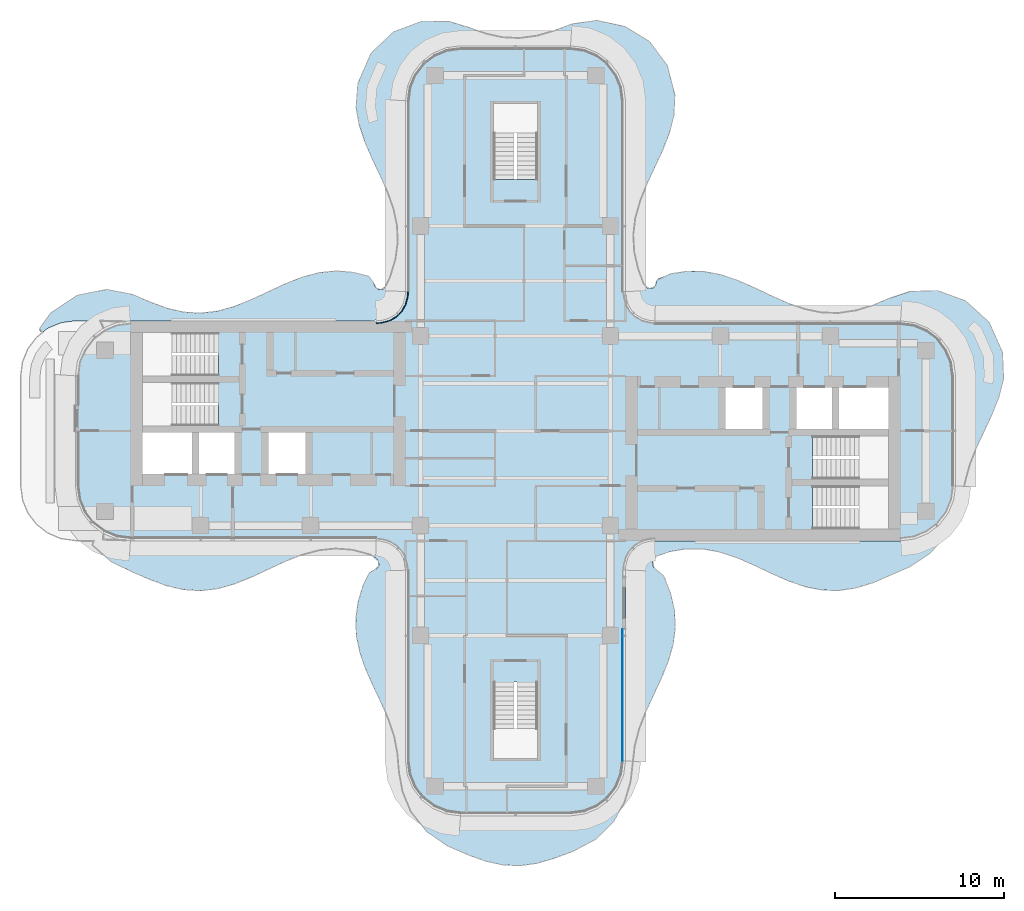
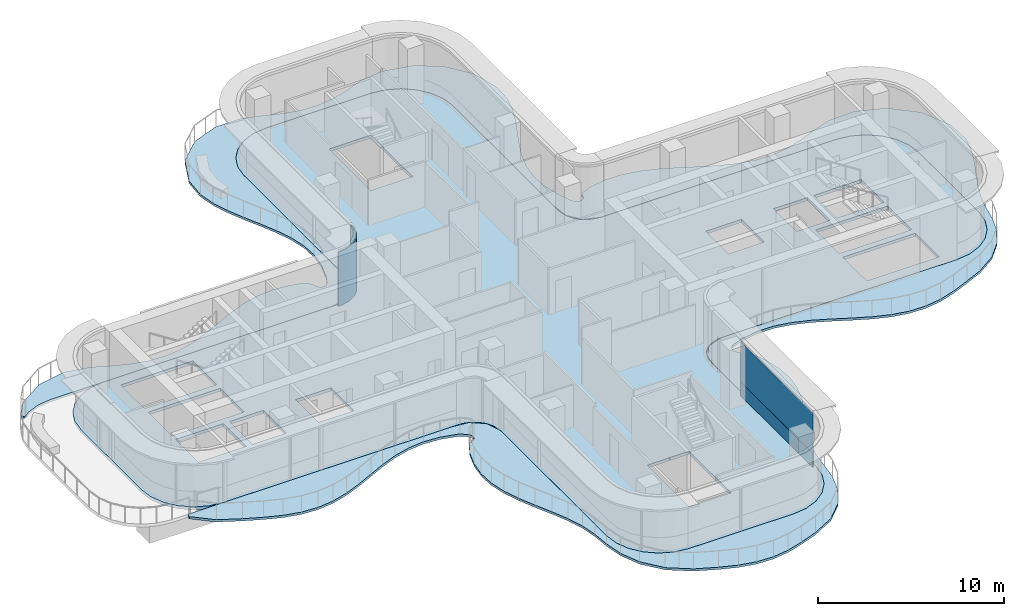
# One storey, part 9 of 17: 3 plates, 2 slabs, 2 elements without a shape of their own.
"""IFC4 building model written with IfcOpenShell, lengths in metres."""

from ifc_helpers import new_model, si_unit, direction, frame, origin, place, context, subcontext, project, spatial, polyline, outline, extrude, source, transform, mapped, material, layer, layer_set, type_object, element, aggregate, save


model = new_model("IFC4")

# Units and contexts
model_context = context("Model", 3, precision=1e-05, world=origin(), true_north=direction((0.0, 1.0)))
body_context = subcontext(model_context, "Body", "Model", "MODEL_VIEW")
ifc_project = project(units=[si_unit("LENGTHUNIT", "METRE"), si_unit("AREAUNIT", "SQUARE_METRE"), si_unit("VOLUMEUNIT", "CUBIC_METRE"), si_unit("PLANEANGLEUNIT", "RADIAN"), si_unit("MASSUNIT", "GRAM", prefix="KILO")], contexts=[model_context])

# Site, building, storey
site_placement = place(None, origin())
site = spatial("IfcSite", under=ifc_project, at=site_placement, CompositionType="ELEMENT")
building_placement = place(site_placement, origin())
building = spatial("IfcBuilding", under=site, at=building_placement, Name="Trellis Farm Tower", CompositionType="ELEMENT")
storey_placement = place(building_placement, frame((0.0, 0.0, 279.39990234375)))
storey = spatial("IfcBuildingStorey", under=building, at=storey_placement, Name="L62", CompositionType="ELEMENT", Elevation=279.39990234375)

# Slab
ifc_material_1 = material(Name="Concrete C40/50", Category="concrete")
ifc_layer_1 = layer(ifc_material_1, 0.14990234375)
ifc_layer_set_1 = layer_set([ifc_layer_1], Name="Balcony slab 150")
slab_type_1 = type_object("IfcSlabType", Name="Balcony slab 150", PredefinedType="FLOOR", material=ifc_layer_set_1)
slab_1_placement = place(storey_placement, frame((0.0, 0.0, -0.14990234375)))
element("IfcSlab", 1, at=slab_1_placement, inside=storey, type_object=slab_type_1, Name="Balcony slab", PredefinedType="FLOOR", context=body_context, shape_type="SweptSolid", body=[
    extrude(outline(polyline([(-27.989501953125, 5.830810546875), (-28.085205078125, 5.872802734375), (-28.130126953125, 5.967041015625), (-28.102783203125, 6.06787109375), (-27.462890625, 6.96337890625), (-27.444580078125, 6.984375), (-27.418212890625, 7.009521484375), (-27.396484375, 7.02685546875), (-25.90478515625, 7.9970703125), (-25.879150390625, 8.010498046875), (-25.844482421875, 8.0244140625), (-25.81689453125, 8.03271484375), (-24.166259765625, 8.353271484375), (-24.13720703125, 8.356201171875), (-24.099609375, 8.35595703125), (-24.0703125, 8.35302734375), (-22.647705078125, 8.06494140625), (-22.6181640625, 8.055908203125), (-21.5927734375, 7.61376953125), (-21.5888671875, 7.6123046875), (-20.583251953125, 7.242919921875), (-20.574462890625, 7.240234375), (-19.635986328125, 7.02197265625), (-19.623779296875, 7.02001953125), (-18.640380859375, 6.95458984375), (-18.627197265625, 6.955078125), (-17.636474609375, 7.066650390625), (-17.624755859375, 7.06884765625), (-16.626708984375, 7.344970703125), (-16.618896484375, 7.34765625), (-15.598388671875, 7.7578125), (-15.5947265625, 7.75927734375), (-13.6064453125, 8.685791015625), (-13.597900390625, 8.689453125), (-12.6064453125, 9.07958984375), (-12.590087890625, 9.084716796875), (-11.606689453125, 9.345703125), (-11.5830078125, 9.35009765625), (-10.607666015625, 9.447021484375), (-10.580810546875, 9.447265625), (-9.609619140625, 9.369384765625), (-9.584716796875, 9.364990234375), (-8.67529296875, 9.134521484375), (-8.584228515625, 9.0673828125), (-8.389404296875, 8.7490234375), (-8.376953125, 8.723388671875), (-8.322021484375, 8.576416015625), (-8.314697265625, 8.56201171875), (-8.23974609375, 8.446533203125), (-8.214599609375, 8.422607421875), (-8.103759765625, 8.35888671875), (-8.07080078125, 8.34912109375), (-7.94287109375, 8.34228515625), (-7.908935546875, 8.3486328125), (-7.7919921875, 8.400634765625), (-7.7646484375, 8.421875), (-7.6787109375, 8.5283203125), (-7.669189453125, 8.543212890625), (-7.4140625, 9.0791015625), (-7.409912109375, 9.089599609375), (-7.097900390625, 10.1279296875), (-7.09521484375, 10.139404296875), (-6.9599609375, 11.131103515625), (-6.95947265625, 11.144287109375), (-7.0009765625, 12.12841796875), (-7.00244140625, 12.140869140625), (-7.21240234375, 13.12158203125), (-7.21484375, 13.131103515625), (-7.5537109375, 14.087646484375), (-7.555908203125, 14.093017578125), (-8.00341796875, 15.09814453125), (-8.00439453125, 15.099609375), (-8.479736328125, 16.10205078125), (-8.481689453125, 16.106689453125), (-8.90771484375, 17.08740234375), (-8.91259765625, 17.099853515625), (-9.2373046875, 18.07763671875), (-9.24267578125, 18.098876953125), (-9.420166015625, 19.102294921875), (-9.422119140625, 19.139892578125), (-9.3212890625, 20.48291015625), (-9.309814453125, 20.53076171875), (-8.568359375, 22.258056640625), (-8.55322265625, 22.28515625), (-8.531005859375, 22.31689453125), (-8.510986328125, 22.33984375), (-7.224609375, 23.5517578125), (-7.200927734375, 23.56982421875), (-7.168212890625, 23.590087890625), (-7.1416015625, 23.603515625), (-5.575439453125, 24.189697265625), (-5.54931640625, 24.197021484375), (-5.514892578125, 24.203125), (-5.4873046875, 24.205322265625), (-3.938720703125, 24.191650390625), (-3.8955078125, 24.184814453125), (-2.75390625, 23.830078125), (-2.748291015625, 23.828125), (-1.73046875, 23.465576171875), (-1.72119140625, 23.462890625), (-0.784423828125, 23.258544921875), (-0.772216796875, 23.2568359375), (0.211669921875, 23.20751953125), (0.22509765625, 23.2080078125), (1.268798828125, 23.346435546875), (1.280029296875, 23.348876953125), (2.257568359375, 23.637451171875), (2.2626953125, 23.63916015625), (3.33447265625, 24.03955078125), (3.365478515625, 24.047607421875), (4.749755859375, 24.248291015625), (4.776123046875, 24.249755859375), (4.81005859375, 24.24853515625), (4.837158203125, 24.245361328125), (6.4658203125, 23.8896484375), (6.51171875, 23.871337890625), (7.851806640625, 23.055908203125), (7.87451171875, 23.038818359375), (7.901611328125, 23.01416015625), (7.9208984375, 22.9931640625), (8.93408203125, 21.6474609375), (8.949462890625, 21.62255859375), (8.965576171875, 21.589111328125), (8.975830078125, 21.56103515625), (9.418701171875, 19.848876953125), (9.423095703125, 19.802978515625), (9.357666015625, 18.63134765625), (9.353271484375, 18.602294921875), (9.10009765625, 17.618896484375), (9.094482421875, 17.601806640625), (8.705322265625, 16.600830078125), (8.701416015625, 16.591796875), (7.779296875, 14.61279296875), (7.77783203125, 14.609619140625), (7.3759765625, 13.625244140625), (7.373291015625, 13.617431640625), (7.078125, 12.583740234375), (7.07568359375, 12.572265625), (6.956298828125, 11.581298828125), (6.955810546875, 11.56787109375), (7.013427734375, 10.584228515625), (7.01513671875, 10.572021484375), (7.239013671875, 9.59130859375), (7.24169921875, 9.582275390625), (7.567626953125, 8.689208984375), (7.574951171875, 8.674560546875), (7.647216796875, 8.560791015625), (7.657470703125, 8.54833984375), (7.7080078125, 8.49755859375), (7.72509765625, 8.48486328125), (7.868408203125, 8.406005859375), (7.908447265625, 8.397216796875), (8.06103515625, 8.406982421875), (8.099609375, 8.4208984375), (8.22314453125, 8.510986328125), (8.248291015625, 8.543701171875), (8.30859375, 8.69775390625), (8.31298828125, 8.714599609375), (8.334228515625, 8.8662109375), (8.42626953125, 8.984619140625), (9.115478515625, 9.2646484375), (9.147705078125, 9.273681640625), (10.11279296875, 9.4306640625), (10.13916015625, 9.4326171875), (11.111328125, 9.418212890625), (11.13720703125, 9.41552734375), (12.10986328125, 9.23046875), (12.1298828125, 9.225341796875), (13.09423828125, 8.900146484375), (13.106201171875, 8.8955078125), (14.10205078125, 8.46044921875), (14.106201171875, 8.45849609375), (15.100830078125, 7.986572265625), (15.1025390625, 7.985595703125), (16.0888671875, 7.5478515625), (16.094482421875, 7.545654296875), (17.076904296875, 7.201904296875), (17.08642578125, 7.19921875), (18.067138671875, 6.99658203125), (18.07958984375, 6.9951171875), (19.06396484375, 6.961669921875), (19.077392578125, 6.96240234375), (20.120361328125, 7.1171875), (20.13134765625, 7.11962890625), (21.079833984375, 7.410888671875), (21.086669921875, 7.413330078125), (22.10009765625, 7.83642578125), (22.110595703125, 7.84033203125), (23.285888671875, 8.232421875), (23.32861328125, 8.239990234375), (24.87158203125, 8.289306640625), (24.900146484375, 8.287353515625), (24.935546875, 8.28173828125), (24.96240234375, 8.27490234375), (26.54052734375, 7.707763671875), (26.567138671875, 7.695068359375), (26.60009765625, 7.67529296875), (26.62353515625, 7.65771484375), (27.958740234375, 6.44091796875), (27.9794921875, 6.41748046875), (28.0029296875, 6.385009765625), (28.018310546875, 6.35791015625), (28.76318359375, 4.668212890625), (28.77197265625, 4.64111328125), (28.7802734375, 4.605224609375), (28.783935546875, 4.576904296875), (28.8369140625, 3.073974609375), (28.83203125, 3.031005859375), (28.569580078125, 2.017333984375), (28.563720703125, 1.99951171875), (28.165283203125, 0.99853515625), (28.161865234375, 0.99072265625), (27.2392578125, -0.98828125), (27.237548828125, -0.991943359375), (26.844482421875, -1.975830078125), (26.841796875, -1.983642578125), (26.565185546875, -2.989013671875), (26.56396484375, -2.993896484375), (26.341796875, -4.088134765625), (26.337158203125, -4.10546875), (25.990478515625, -5.153564453125), (25.978759765625, -5.179931640625), (25.37451171875, -6.251708984375), (25.35546875, -6.2783203125), (24.513916015625, -7.216796875), (24.485595703125, -7.2412109375), (23.326171875, -8.01708984375), (23.303466796875, -8.029541015625), (22.101806640625, -8.562255859375), (22.09912109375, -8.5634765625), (21.114990234375, -8.976806640625), (21.10107421875, -8.981689453125), (20.1240234375, -9.28271484375), (20.102294921875, -9.28759765625), (19.13037109375, -9.43505859375), (19.10400390625, -9.436767578125), (18.130859375, -9.411376953125), (18.105224609375, -9.408447265625), (17.12548828125, -9.2119140625), (17.105712890625, -9.206298828125), (16.117431640625, -8.863525390625), (16.105712890625, -8.85888671875), (15.109619140625, -8.41748046875), (15.10595703125, -8.416015625), (14.102783203125, -7.93994140625), (14.1005859375, -7.93896484375), (13.12451171875, -7.511962890625), (13.118408203125, -7.509521484375), (12.089599609375, -7.164794921875), (12.079345703125, -7.162109375), (11.08544921875, -6.97998046875), (11.072509765625, -6.97900390625), (10.08642578125, -6.971923828125), (10.073486328125, -6.97314453125), (9.088623046875, -7.141357421875), (9.076171875, -7.144775390625), (8.3525390625, -7.400634765625), (8.33837890625, -7.407470703125), (8.234619140625, -7.470947265625), (8.212158203125, -7.4921875), (8.143310546875, -7.59228515625), (8.1357421875, -7.606201171875), (8.100341796875, -7.691162109375), (8.0947265625, -7.713623046875), (8.080078125, -7.892578125), (8.09033203125, -7.936279296875), (8.1826171875, -8.089599609375), (8.19873046875, -8.1083984375), (8.751220703125, -8.56640625), (8.777587890625, -8.5947265625), (8.807373046875, -8.63671875), (8.826171875, -8.67236328125), (9.160400390625, -9.58837890625), (9.165771484375, -9.606689453125), (9.38671875, -10.580078125), (9.39013671875, -10.605224609375), (9.443603515625, -11.60791015625), (9.4423828125, -11.635009765625), (9.31787109375, -12.6064453125), (9.31298828125, -12.629150390625), (9.03125, -13.60498046875), (9.026123046875, -13.6201171875), (8.624755859375, -14.603759765625), (8.621826171875, -14.610595703125), (7.69970703125, -16.589111328125), (7.697998046875, -16.59375), (7.301025390625, -17.615966796875), (7.29833984375, -17.624267578125), (7.042724609375, -18.6201171875), (7.040771484375, -18.631103515625), (6.935302734375, -19.63671875), (6.93505859375, -19.639892578125), (6.797119140625, -20.73876953125), (6.7919921875, -20.7626953125), (6.45751953125, -21.889892578125), (6.4453125, -21.919189453125), (5.818359375, -23.06396484375), (5.7919921875, -23.098876953125), (4.744384765625, -24.1279296875), (4.708984375, -24.15380859375), (3.381103515625, -24.849853515625), (3.363037109375, -24.85791015625), (2.2578125, -25.2626953125), (2.24853515625, -25.265869140625), (1.2724609375, -25.55322265625), (1.25048828125, -25.55810546875), (0.278564453125, -25.6904296875), (0.251953125, -25.691650390625), (-0.7216796875, -25.650390625), (-0.746826171875, -25.647216796875), (-1.7275390625, -25.435791015625), (-1.74658203125, -25.43017578125), (-2.747802734375, -25.0712890625), (-2.75634765625, -25.068115234375), (-3.987548828125, -24.538330078125), (-4.0126953125, -24.5244140625), (-5.23876953125, -23.68798828125), (-5.271484375, -23.657470703125), (-6.173583984375, -22.523193359375), (-6.19482421875, -22.48681640625), (-6.671142578125, -21.326171875), (-6.679931640625, -21.296142578125), (-6.88427734375, -20.1796875), (-6.88623046875, -20.165283203125), (-6.9775390625, -19.085693359375), (-6.978515625, -19.07861328125), (-7.162353515625, -18.081298828125), (-7.164794921875, -18.0712890625), (-7.49169921875, -17.08935546875), (-7.494140625, -17.083251953125), (-7.91748046875, -16.108154296875), (-7.91845703125, -16.10595703125), (-8.39453125, -15.102294921875), (-8.39599609375, -15.09912109375), (-8.840576171875, -14.102294921875), (-8.844970703125, -14.09130859375), (-9.187255859375, -13.124755859375), (-9.192626953125, -13.105712890625), (-9.3994140625, -12.1328125), (-9.40234375, -12.107177734375), (-9.439453125, -11.1044921875), (-9.43798828125, -11.07763671875), (-9.2978515625, -10.105712890625), (-9.293212890625, -10.083984375), (-9.00830078125, -9.13671875), (-8.998291015625, -9.111572265625), (-8.627197265625, -8.385498046875), (-8.59228515625, -8.3408203125), (-8.5419921875, -8.297119140625), (-8.493408203125, -8.2685546875), (-8.308349609375, -8.202880859375), (-8.2919921875, -8.19482421875), (-8.173583984375, -8.11669921875), (-8.1494140625, -8.090087890625), (-8.086669921875, -7.974365234375), (-8.077880859375, -7.93798828125), (-8.080810546875, -7.7451171875), (-8.095947265625, -7.70166015625), (-8.202392578125, -7.564208984375), (-8.21875, -7.548583984375), (-8.552978515625, -7.31591796875), (-8.56494140625, -7.30908203125), (-8.66845703125, -7.26220703125), (-8.681640625, -7.2578125), (-9.633544921875, -7.027587890625), (-9.645751953125, -7.025634765625), (-10.634765625, -6.9541015625), (-10.647705078125, -6.954345703125), (-11.575439453125, -7.049072265625), (-11.5869140625, -7.05126953125), (-12.58447265625, -7.313720703125), (-12.5927734375, -7.31640625), (-13.59521484375, -7.70947265625), (-13.599609375, -7.711181640625), (-15.597412109375, -8.641845703125), (-15.6044921875, -8.64501953125), (-16.605712890625, -9.048095703125), (-16.62158203125, -9.053466796875), (-17.60546875, -9.327880859375), (-17.628662109375, -9.33251953125), (-18.604736328125, -9.4453125), (-18.631591796875, -9.44580078125), (-19.603271484375, -9.383544921875), (-19.627685546875, -9.3798828125), (-20.601806640625, -9.152099609375), (-20.61962890625, -9.146484375), (-21.60009765625, -8.783447265625), (-21.607177734375, -8.780517578125), (-22.650390625, -8.33203125), (-22.6572265625, -8.3291015625), (-23.90185546875, -7.7197265625), (-23.93505859375, -7.69775390625), (-24.981689453125, -6.777587890625), (-25.007080078125, -6.74853515625), (-25.01708984375, -6.733642578125), (-25.041259765625, -6.630615234375), (-24.99169921875, -6.537353515625), (-24.892578125, -6.5), (-22.754638671875, -6.5), (-22.75, -6.50048828125), (-8.61767578125, -6.50048828125), (-8.61328125, -6.500732421875), (-7.68896484375, -6.5986328125), (-7.6513671875, -6.607666015625), (-7.605712890625, -6.625), (-7.57177734375, -6.643310546875), (-6.89111328125, -7.1318359375), (-6.8583984375, -7.1640625), (-6.82470703125, -7.20947265625), (-6.802734375, -7.25146484375), (-6.515380859375, -8.11474609375), (-6.5078125, -8.162109375), (-6.50048828125, -18.239013671875), (-6.50048828125, -19.5), (-6.389892578125, -20.34130859375), (-6.065185546875, -21.125244140625), (-5.548583984375, -21.798583984375), (-4.875244140625, -22.315185546875), (-4.09130859375, -22.639892578125), (-3.25, -22.75048828125), (3.25, -22.75048828125), (4.09130859375, -22.639892578125), (4.875244140625, -22.315185546875), (5.548583984375, -21.798583984375), (6.065185546875, -21.125244140625), (6.389892578125, -20.34130859375), (6.50048828125, -19.5), (6.50048828125, -12.636962890625), (6.5009765625, -8.607421875), (6.501953125, -8.59130859375), (6.599365234375, -7.68603515625), (6.6083984375, -7.6484375), (6.6259765625, -7.602783203125), (6.644287109375, -7.568603515625), (7.134521484375, -6.889404296875), (7.166748046875, -6.856689453125), (7.2119140625, -6.822998046875), (7.254150390625, -6.80126953125), (8.117919921875, -6.51513671875), (8.164794921875, -6.507568359375), (20.985107421875, -6.50048828125), (22.75, -6.50048828125), (23.59130859375, -6.389892578125), (24.375244140625, -6.065185546875), (25.048583984375, -5.548583984375), (25.565185546875, -4.875244140625), (25.889892578125, -4.09130859375), (26.00048828125, -3.25), (26.00048828125, 3.25), (25.889892578125, 4.09130859375), (25.565185546875, 4.875244140625), (25.048583984375, 5.548583984375), (24.375244140625, 6.065185546875), (23.59130859375, 6.389892578125), (22.75, 6.50048828125), (20.985107421875, 6.50048828125), (8.164794921875, 6.507568359375), (8.117919921875, 6.51513671875), (7.254150390625, 6.80126953125), (7.2119140625, 6.822998046875), (7.166748046875, 6.856689453125), (7.134521484375, 6.889404296875), (6.644287109375, 7.568603515625), (6.6259765625, 7.602783203125), (6.6083984375, 7.6484375), (6.599365234375, 7.686279296875), (6.500732421875, 8.610107421875), (6.50048828125, 8.614990234375), (6.50048828125, 19.5), (6.389892578125, 20.34130859375), (6.065185546875, 21.125244140625), (5.548583984375, 21.798583984375), (4.875244140625, 22.315185546875), (4.09130859375, 22.639892578125), (3.25, 22.75048828125), (-3.25, 22.75048828125), (-4.09130859375, 22.639892578125), (-4.875244140625, 22.315185546875), (-5.548583984375, 21.798583984375), (-6.065185546875, 21.125244140625), (-6.389892578125, 20.34130859375), (-6.50048828125, 19.5), (-6.50048828125, 17.03369140625), (-6.5078125, 8.162109375), (-6.515380859375, 8.11474609375), (-6.802734375, 7.25146484375), (-6.82470703125, 7.20947265625), (-6.8583984375, 7.1640625), (-6.89111328125, 7.1318359375), (-7.57177734375, 6.643310546875), (-7.605712890625, 6.625), (-7.6513671875, 6.607666015625), (-7.68896484375, 6.5986328125), (-8.61328125, 6.500732421875), (-8.61767578125, 6.50048828125), (-22.75, 6.50048828125), (-22.754638671875, 6.5), (-25.9951171875, 6.5), (-26.0048828125, 6.49951171875), (-26.831298828125, 6.390380859375), (-26.85009765625, 6.385498046875), (-27.615966796875, 6.068359375), (-27.6328125, 6.05859375), (-27.889404296875, 5.861572265625), (-27.989501953125, 5.830810546875)])), origin(), (0.0, 0.0, 1.0), 0.14990234375),
])

# Curtain wall, plates
ifc_material_2 = material(Name="Aluminium and glass curtain wall", Category="aluminium")
ifc_layer_2 = layer(ifc_material_2, 0.18994140625)
ifc_layer_set_2 = layer_set([ifc_layer_2], Name="RIBBON CURTAIN WALL CW1")
curtain_wall_type_1 = type_object("IfcCurtainWallType", Name="RIBBON CURTAIN WALL CW1", PredefinedType="NOTDEFINED", material=ifc_layer_set_2)
placement = place(storey_placement, origin())
curtain_wall_1 = element("IfcCurtainWall", 2, at=placement, inside=storey, type_object=curtain_wall_type_1, Name="CW1 004", PredefinedType="NOTDEFINED")
ifc_material_3 = material(Name="Clear insulated glass", Category="glass")
ifc_layer_3 = layer(ifc_material_3, 0.0400390625)
ifc_layer_set_3 = layer_set([ifc_layer_3], Name="CW1 GLASS PANEL 40")
plate_type_1 = type_object("IfcPlateType", Name="CW1 GLASS PANEL 40", PredefinedType="CURTAIN_PANEL", material=ifc_layer_set_3)
plate_1_placement = place(storey_placement, frame((0.0, 0.0, 0.900146484375)))
plate_1 = element("IfcPlate", 3, at=plate_1_placement, type_object=plate_type_1, Name="PL1 004", PredefinedType="CURTAIN_PANEL", context=body_context, shape_type="SweptSolid", body=[
    extrude(outline(polyline([(6.35009765625, -19.490234375), (6.35009765625, -11.7255859375), (6.31005859375, -11.7255859375), (6.31005859375, -19.487548828125), (6.35009765625, -19.490234375)])), origin(), (0.0, 0.0, 1.0), 2.619873046875),
])
ifc_material_4 = material(Name="Sandstone faced insulated panel", Category="masonry")
ifc_layer_4 = layer(ifc_material_4, 0.050048828125)
ifc_layer_set_4 = layer_set([ifc_layer_4], Name="CW1 STONE SPANDREL PANEL 50")
plate_type_2 = type_object("IfcPlateType", Name="CW1 STONE SPANDREL PANEL 50", PredefinedType="CURTAIN_PANEL", material=ifc_layer_set_4)
plate_2 = element("IfcPlate", 4, at=placement, type_object=plate_type_2, Name="PS1 004", PredefinedType="CURTAIN_PANEL", context=body_context, shape_type="SweptSolid", body=[
    extrude(outline(polyline([(6.35009765625, -19.490234375), (6.35009765625, -11.7255859375), (6.300048828125, -11.7255859375), (6.300048828125, -19.48681640625), (6.35009765625, -19.490234375)])), origin(), (0.0, 0.0, 1.0), 0.900146484375),
])
aggregate(curtain_wall_1, [plate_1, plate_2])

# Slab
ifc_layer_5 = layer(ifc_material_1, 0.199951171875)
ifc_layer_set_5 = layer_set([ifc_layer_5], Name="Composite deck floor slab 200")
slab_type_2 = type_object("IfcSlabType", Name="Composite deck floor slab 200", PredefinedType="FLOOR", material=ifc_layer_set_5)
shared_shape_1 = source(origin(), body_context, "Body", "SweptSolid", [
    extrude(outline(polyline([(-23.59130859375, -6.389404296875), (-24.375, -6.064697265625), (-25.048095703125, -5.548095703125), (-25.564697265625, -4.875), (-25.889404296875, -4.09130859375), (-26.0, -3.25), (-26.0, 3.25), (-25.889404296875, 4.09130859375), (-25.564697265625, 4.875), (-25.048095703125, 5.548095703125), (-24.375, 6.064697265625), (-23.59130859375, 6.389404296875), (-22.75, 6.5), (-8.2314453125, 6.5), (-8.01953125, 6.513916015625), (-7.91552734375, 6.527587890625), (-7.508544921875, 6.63671875), (-7.144287109375, 6.846923828125), (-6.846923828125, 7.144287109375), (-6.63671875, 7.508544921875), (-6.527587890625, 7.91552734375), (-6.513916015625, 8.01953125), (-6.5, 8.2314453125), (-6.5, 19.5), (-6.389404296875, 20.34130859375), (-6.064697265625, 21.125), (-5.548095703125, 21.798095703125), (-4.875, 22.314697265625), (-4.09130859375, 22.639404296875), (-3.25, 22.75), (3.25, 22.75), (4.09130859375, 22.639404296875), (4.875, 22.314697265625), (5.548095703125, 21.798095703125), (6.064697265625, 21.125), (6.389404296875, 20.34130859375), (6.5, 19.5), (6.5, 8.2314453125), (6.513916015625, 8.01953125), (6.527587890625, 7.91552734375), (6.63671875, 7.508544921875), (6.846923828125, 7.144287109375), (7.144287109375, 6.846923828125), (7.508544921875, 6.63671875), (7.91552734375, 6.527587890625), (8.01953125, 6.513916015625), (8.2314453125, 6.5), (22.75, 6.5), (23.59130859375, 6.389404296875), (24.375, 6.064697265625), (25.048095703125, 5.548095703125), (25.564697265625, 4.875), (25.889404296875, 4.09130859375), (26.0, 3.25), (26.0, -3.25), (25.889404296875, -4.09130859375), (25.564697265625, -4.875), (25.048095703125, -5.548095703125), (24.375, -6.064697265625), (23.59130859375, -6.389404296875), (22.75, -6.5), (8.2314453125, -6.5), (8.01953125, -6.513916015625), (7.91552734375, -6.527587890625), (7.508544921875, -6.63671875), (7.144287109375, -6.846923828125), (6.846923828125, -7.144287109375), (6.63671875, -7.508544921875), (6.527587890625, -7.91552734375), (6.513916015625, -8.01953125), (6.5, -8.2314453125), (6.5, -19.5), (6.389404296875, -20.34130859375), (6.064697265625, -21.125), (5.548095703125, -21.798095703125), (4.875, -22.314697265625), (4.09130859375, -22.639404296875), (3.25, -22.75), (-3.25, -22.75), (-4.09130859375, -22.639404296875), (-4.875, -22.314697265625), (-5.548095703125, -21.798095703125), (-6.064697265625, -21.125), (-6.389404296875, -20.34130859375), (-6.5, -19.5), (-6.5, -8.2314453125), (-6.513916015625, -8.01953125), (-6.527587890625, -7.91552734375), (-6.63671875, -7.508544921875), (-6.846923828125, -7.144287109375), (-7.144287109375, -6.846923828125), (-7.508544921875, -6.63671875), (-7.91552734375, -6.527587890625), (-8.01953125, -6.513916015625), (-8.2314453125, -6.5), (-22.75, -6.5), (-23.59130859375, -6.389404296875)]), holes=[polyline([(-22.050048828125, -2.550048828125), (-19.10009765625, -2.550048828125), (-19.10009765625, -0.10009765625), (-22.050048828125, -0.10009765625), (-22.050048828125, -2.550048828125)]), polyline([(-18.699951171875, -0.10009765625), (-18.699951171875, -2.550048828125), (-16.60009765625, -2.550048828125), (-16.60009765625, -0.10009765625), (-18.699951171875, -0.10009765625)]), polyline([(-14.60009765625, -0.10009765625), (-14.60009765625, -2.550048828125), (-12.39990234375, -2.550048828125), (-12.39990234375, -0.10009765625), (-14.60009765625, -0.10009765625)]), polyline([(-17.56201171875, 2.85009765625), (-22.050048828125, 2.85009765625), (-22.050048828125, 0.300048828125), (-17.56005859375, 0.300048828125), (-17.56005859375, 1.5), (-17.550048828125, 1.5), (-17.550048828125, 1.64990234375), (-17.56201171875, 1.64990234375), (-17.56201171875, 2.85009765625)]), polyline([(-17.56201171875, 4.60009765625), (-17.56201171875, 5.800048828125), (-22.050048828125, 5.800048828125), (-22.050048828125, 3.25), (-17.56005859375, 3.25), (-17.56005859375, 4.449951171875), (-17.550048828125, 4.449951171875), (-17.550048828125, 4.60009765625), (-17.56201171875, 4.60009765625)]), polyline([(0.10009765625, 14.862060546875), (1.300048828125, 14.862060546875), (1.300048828125, 19.35009765625), (-1.300048828125, 19.35009765625), (-1.300048828125, 14.860107421875), (-0.10009765625, 14.860107421875), (-0.10009765625, 14.85009765625), (0.10009765625, 14.85009765625), (0.10009765625, 14.862060546875)]), polyline([(-1.300048828125, -14.862060546875), (-1.300048828125, -19.35009765625), (1.300048828125, -19.35009765625), (1.300048828125, -14.860107421875), (0.10009765625, -14.860107421875), (0.10009765625, -14.85009765625), (-0.10009765625, -14.85009765625), (-0.10009765625, -14.862060546875), (-1.300048828125, -14.862060546875)]), polyline([(17.56201171875, -4.60009765625), (17.56201171875, -5.800048828125), (22.050048828125, -5.800048828125), (22.050048828125, -3.25), (17.56005859375, -3.25), (17.56005859375, -4.449951171875), (17.550048828125, -4.449951171875), (17.550048828125, -4.60009765625), (17.56201171875, -4.60009765625)]), polyline([(17.56201171875, -1.64990234375), (17.56201171875, -2.85009765625), (22.050048828125, -2.85009765625), (22.050048828125, -0.300048828125), (17.56005859375, -0.300048828125), (17.56005859375, -1.5), (17.550048828125, -1.5), (17.550048828125, -1.64990234375), (17.56201171875, -1.64990234375)]), polyline([(14.60009765625, 2.550048828125), (12.39990234375, 2.550048828125), (12.39990234375, 0.10009765625), (14.60009765625, 0.10009765625), (14.60009765625, 2.550048828125)]), polyline([(18.699951171875, 0.10009765625), (18.699951171875, 2.550048828125), (16.60009765625, 2.550048828125), (16.60009765625, 0.10009765625), (18.699951171875, 0.10009765625)]), polyline([(22.050048828125, 0.10009765625), (22.050048828125, 2.550048828125), (19.10009765625, 2.550048828125), (19.10009765625, 0.10009765625), (22.050048828125, 0.10009765625)])]), origin(), (0.0, 0.0, 1.0), 0.199951171875),
])
slab_2_placement = place(storey_placement, frame((0.0, 0.0, -0.199951171875)))
element("IfcSlab", 5, at=slab_2_placement, inside=storey, type_object=slab_type_2, Name="Floor slab", PredefinedType="FLOOR", context=body_context, shape_type="MappedRepresentation", body=[
    mapped(shared_shape_1, transform((0.0, 0.0, 0.0))),
])

# Curtain wall, plate
ifc_layer_6 = layer(ifc_material_2, 0.166015625)
ifc_layer_set_6 = layer_set([ifc_layer_6], Name="WINTER GARDEN CURTAIN WALL CW3")
curtain_wall_type_2 = type_object("IfcCurtainWallType", Name="WINTER GARDEN CURTAIN WALL CW3", PredefinedType="NOTDEFINED", material=ifc_layer_set_6)
curtain_wall_2 = element("IfcCurtainWall", 6, at=placement, inside=storey, type_object=curtain_wall_type_2, Name="CW3 004", PredefinedType="NOTDEFINED")
ifc_layer_7 = layer(ifc_material_3, 0.0458984375)
ifc_layer_set_7 = layer_set([ifc_layer_7], Name="CW3 GLASS PANEL 46")
plate_type_3 = type_object("IfcPlateType", Name="CW3 GLASS PANEL 46", PredefinedType="CURTAIN_PANEL", material=ifc_layer_set_7)
shared_shape_2 = source(origin(), body_context, "Body", "SweptSolid", [
    extrude(outline(polyline([(-6.3798828125, 8.2275390625), (-6.394287109375, 8.0078125), (-6.40966796875, 7.89208984375), (-6.52490234375, 7.462158203125), (-6.7509765625, 7.070556640625), (-7.070556640625, 6.7509765625), (-7.462158203125, 6.52490234375), (-7.89208984375, 6.40966796875), (-8.0078125, 6.394287109375), (-8.2275390625, 6.3798828125), (-8.22607421875, 6.333984375), (-8.003173828125, 6.3486328125), (-7.883056640625, 6.364501953125), (-7.4443359375, 6.48193359375), (-7.04248046875, 6.714111328125), (-6.714111328125, 7.04248046875), (-6.48193359375, 7.4443359375), (-6.364501953125, 7.883056640625), (-6.3486328125, 8.003173828125), (-6.333984375, 8.22607421875), (-6.3798828125, 8.2275390625)])), origin(), (0.0, 0.0, 1.0), 3.550048828125),
])
plate_3 = element("IfcPlate", 7, at=placement, type_object=plate_type_3, Name="PL3 004", PredefinedType="CURTAIN_PANEL", context=body_context, shape_type="MappedRepresentation", body=[
    mapped(shared_shape_2, transform((0.0, 0.0, 0.0))),
])
aggregate(curtain_wall_2, [plate_3])

save(model, "model.ifc")
